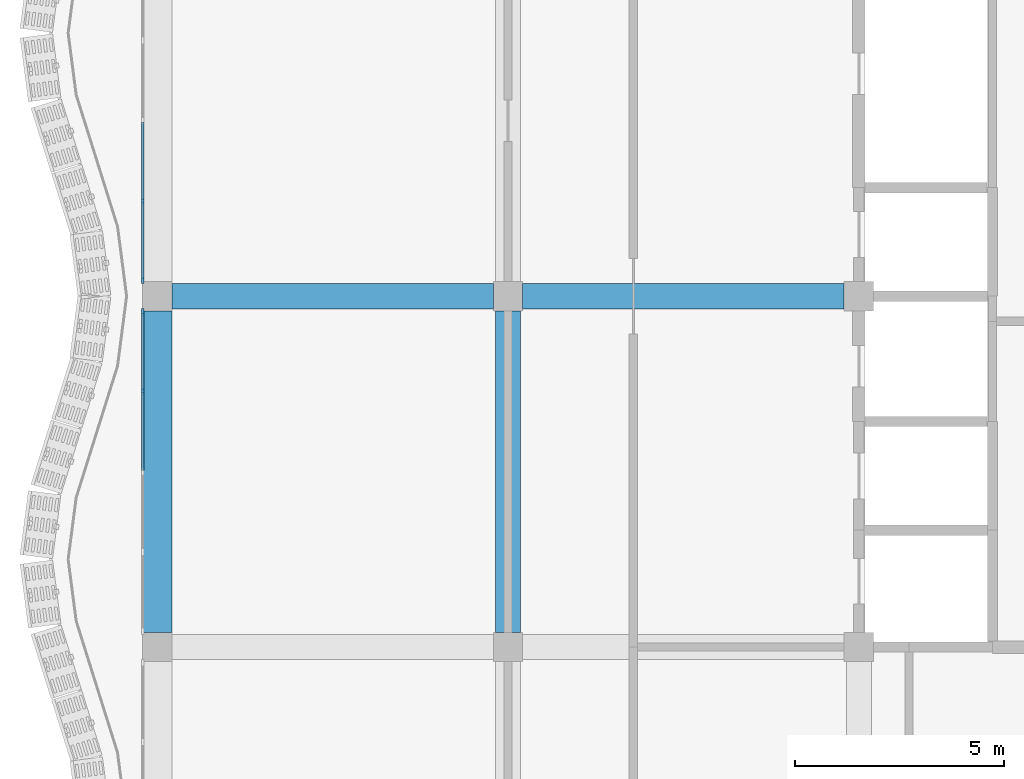
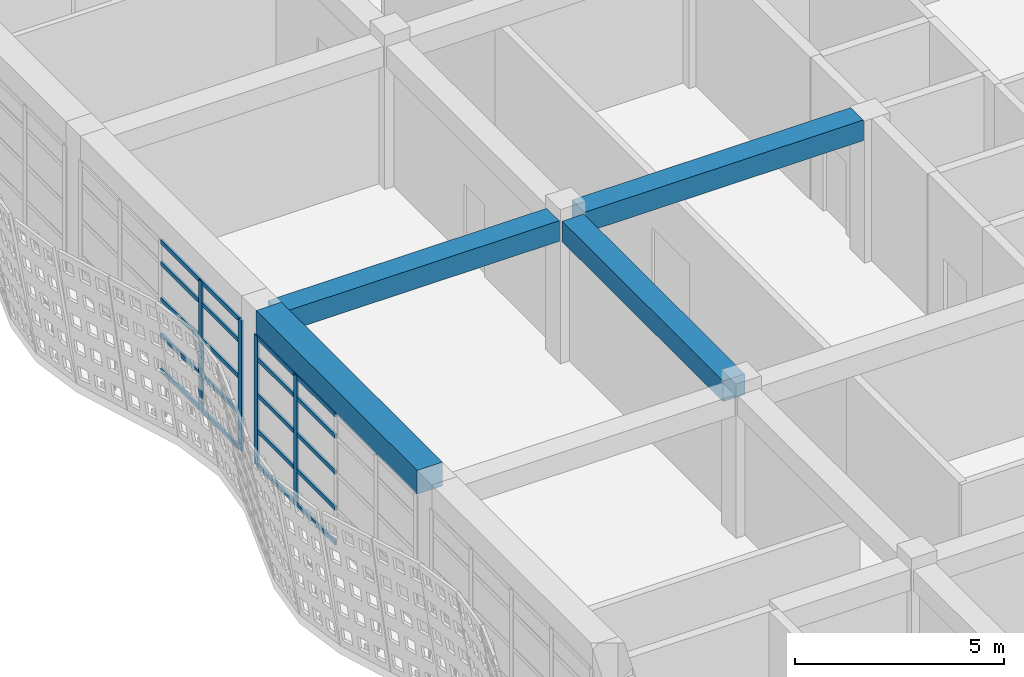
# One storey, part 5 of 163: 24 members, 4 beams, 2 elements without a shape of their own.
"""IFC4 building model written with IfcOpenShell, lengths in metres."""

from ifc_helpers import new_model, si_unit, direction, frame, origin, origin_2d, place, context, subcontext, project, spatial, rectangle, extrude, material, material_profile, profile_set, type_object, element, aggregate, save


model = new_model("IFC4")

# Units and contexts
model_context = context("Model", 3, precision=1e-05, world=origin(), true_north=direction((0.0, 1.0)))
body_context = subcontext(model_context, "Body", "Model", "MODEL_VIEW")
ifc_project = project(units=[si_unit("LENGTHUNIT", "METRE"), si_unit("AREAUNIT", "SQUARE_METRE"), si_unit("VOLUMEUNIT", "CUBIC_METRE"), si_unit("PLANEANGLEUNIT", "RADIAN"), si_unit("MASSUNIT", "GRAM", prefix="KILO")], contexts=[model_context])

# Site, building, storey
site_placement = place(None, origin())
site = spatial("IfcSite", under=ifc_project, at=site_placement, CompositionType="ELEMENT")
building_placement = place(site_placement, origin())
building = spatial("IfcBuilding", under=site, at=building_placement, Name="Rain Tree Exposition and Congress Centre", CompositionType="ELEMENT")
storey_placement = place(building_placement, frame((0.0, 0.0, 10.5)))
storey = spatial("IfcBuildingStorey", under=building, at=storey_placement, Name="L02", CompositionType="ELEMENT", Elevation=10.5)

# Beams
ifc_material_1 = material(Name="Precast concrete C50/60", Category="concrete")
ifc_material_profile_1 = material_profile(ifc_material_1, rectangle(XDim=0.60009765625, YDim=0.60009765625, at=origin_2d()), Name="RC 600x600")
ifc_profile_set_1 = profile_set([ifc_material_profile_1], Name="Precast concrete C50/60")
beam_type_1 = type_object("IfcBeamType", Name="Precast beam 600x600", PredefinedType="BEAM", material=ifc_profile_set_1)
beam_1_placement = place(storey_placement, frame((8.39990234375, 17.14990234375, 3.85009765625), z_axis=(0.0, 1.0, 0.0), x_axis=(-1.0, 0.0, 0.0)))
element("IfcBeam", 1, at=beam_1_placement, inside=storey, type_object=beam_type_1, Name="wing/beam/L02/L03/018", PredefinedType="BEAM", context=body_context, shape_type="SweptSolid", body=[
    extrude(rectangle(XDim=0.60009765625, YDim=0.60009765625, at=origin_2d()), origin(), (0.0, 0.0, 1.0), 7.7001953125),
])
for number, where, z_axis, x_axis, name in (
    (2, (0.35009765625, 25.199951171875, 3.85009765625), (1.0, 0.0, 0.0), (0.0, 1.0, 0.0), "wing/beam/L02/L03/033"),
    (3, (8.75, 25.199951171875, 3.85009765625), (1.0, 0.0, 0.0), (0.0, 1.0, 0.0), "wing/beam/L02/L03/035"),
):
    element("IfcBeam", number, at=place(storey_placement, frame(where, z_axis=z_axis, x_axis=x_axis)), inside=storey, type_object=beam_type_1, Name=name, PredefinedType="BEAM", context=body_context, shape_type="SweptSolid", body=[
        extrude(rectangle(XDim=0.60009765625, YDim=0.60009765625, at=origin_2d()), origin(), (0.0, 0.0, 1.0), 7.699951171875),
    ])
ifc_material_2 = material(Name="Precast concrete C50/60", Category="concrete")
ifc_material_profile_2 = material_profile(ifc_material_2, rectangle(XDim=0.699951171875, YDim=0.699951171875, at=origin_2d()), Name="RC 700x700")
ifc_profile_set_2 = profile_set([ifc_material_profile_2], Name="Precast concrete C50/60")
beam_type_2 = type_object("IfcBeamType", Name="Precast spandrel beam 700x700", PredefinedType="SPANDREL", material=ifc_profile_set_2)
beam_2_placement = place(storey_placement, frame((0.0, 17.14990234375, 4.14990234375), z_axis=(0.0, 1.0, 0.0), x_axis=(-1.0, 0.0, 0.0)))
element("IfcBeam", 4, at=beam_2_placement, inside=storey, type_object=beam_type_2, Name="wing/beam/L02/L03/006", PredefinedType="SPANDREL", context=body_context, shape_type="SweptSolid", body=[
    extrude(rectangle(XDim=0.699951171875, YDim=0.699951171875, at=origin_2d()), origin(), (0.0, 0.0, 1.0), 7.7001953125),
])

# Curtain wall, members
ifc_material_3 = material(Name="Aluminium curtain wall", Category="aluminium")
curtain_wall_type = type_object("IfcCurtainWallType", Name="Wing curtain wall 1925", PredefinedType="NOTDEFINED", material=ifc_material_3)
curtain_wall_1_placement = place(storey_placement, origin())
curtain_wall_1 = element("IfcCurtainWall", 5, at=curtain_wall_1_placement, inside=storey, type_object=curtain_wall_type, Name="Curtain wall CWW309", PredefinedType="NOTDEFINED")
ifc_material_4 = material(Name="Aluminium", Category="aluminium")
ifc_material_profile_3 = material_profile(ifc_material_4, rectangle(XDim=0.06005859375, YDim=0.159912109375, at=origin_2d()), Name="Aluminium 60x160")
ifc_profile_set_3 = profile_set([ifc_material_profile_3], Name="Aluminium")
member_type_1 = type_object("IfcMemberType", Name="Wing mullion 60x160", PredefinedType="MULLION", material=ifc_profile_set_3)
member_1_placement = place(storey_placement, frame((-0.35009765625, 22.925048828125, 0.0), z_axis=(0.0, 0.0, 1.0), x_axis=(-1.0, 0.0, 0.0)))
member_1 = element("IfcMember", 6, at=member_1_placement, type_object=member_type_1, Name="CWW309 mullion 4", PredefinedType="MULLION", context=body_context, shape_type="SweptSolid", body=[
    extrude(rectangle(XDim=0.06005859375, YDim=0.159912109375, at=origin_2d()), origin(), (0.0, 0.0, 1.0), 3.800048828125),
])
member_2_placement = place(storey_placement, frame((-0.35009765625, 24.820068359375, 0.0), z_axis=(0.0, 0.0, 1.0), x_axis=(-1.0, 0.0, 0.0)))
member_2 = element("IfcMember", 7, at=member_2_placement, type_object=member_type_1, Name="CWW309 mullion 5", PredefinedType="MULLION", context=body_context, shape_type="SweptSolid", body=[
    extrude(rectangle(XDim=0.06005859375, YDim=0.159912109375, at=origin_2d()), origin(), (0.0, 0.0, 1.0), 3.800048828125),
])

curtain_wall_2_placement = place(storey_placement, origin())
curtain_wall_2 = element("IfcCurtainWall", 8, at=curtain_wall_2_placement, inside=storey, type_object=curtain_wall_type, Name="Curtain wall CWW310", PredefinedType="NOTDEFINED")
member_3_placement = place(storey_placement, frame((-0.35009765625, 25.580078125, 0.0), z_axis=(0.0, 0.0, 1.0), x_axis=(-1.0, 0.0, 0.0)))
member_3 = element("IfcMember", 9, at=member_3_placement, type_object=member_type_1, Name="CWW310 mullion 1", PredefinedType="MULLION", context=body_context, shape_type="SweptSolid", body=[
    extrude(rectangle(XDim=0.06005859375, YDim=0.159912109375, at=origin_2d()), origin(), (0.0, 0.0, 1.0), 3.800048828125),
])
member_4_placement = place(storey_placement, frame((-0.35009765625, 27.47509765625, 0.0), z_axis=(0.0, 0.0, 1.0), x_axis=(-1.0, 0.0, 0.0)))
member_4 = element("IfcMember", 10, at=member_4_placement, type_object=member_type_1, Name="CWW310 mullion 2", PredefinedType="MULLION", context=body_context, shape_type="SweptSolid", body=[
    extrude(rectangle(XDim=0.06005859375, YDim=0.159912109375, at=origin_2d()), origin(), (0.0, 0.0, 1.0), 3.800048828125),
])

# Member
ifc_material_5 = material(Name="Aluminium", Category="aluminium")
ifc_material_profile_4 = material_profile(ifc_material_5, rectangle(XDim=0.06005859375, YDim=0.1201171875, at=origin_2d()), Name="Aluminium 60x120")
ifc_profile_set_4 = profile_set([ifc_material_profile_4], Name="Aluminium")
member_type_2 = type_object("IfcMemberType", Name="Wing transom 60x120", PredefinedType="USERDEFINED", material=ifc_profile_set_4)
member_5_placement = place(storey_placement, frame((-0.35009765625, 21.030029296875, 0.030029296875), z_axis=(0.0, 1.0, 0.0), x_axis=(-1.0, 0.0, 0.0)))
member_5 = element("IfcMember", 11, at=member_5_placement, type_object=member_type_2, Name="CWW309 transom 3.1", ObjectType="TRANSOM", PredefinedType="USERDEFINED", context=body_context, shape_type="SweptSolid", body=[
    extrude(rectangle(XDim=0.06005859375, YDim=0.1201171875, at=origin_2d()), origin(), (0.0, 0.0, 1.0), 1.864990234375),
])

member_6_placement = place(storey_placement, frame((-0.35009765625, 21.030029296875, 1.050048828125), z_axis=(0.0, 1.0, 0.0), x_axis=(-1.0, 0.0, 0.0)))
member_6 = element("IfcMember", 12, at=member_6_placement, type_object=member_type_2, Name="CWW309 transom 3.2", ObjectType="TRANSOM", PredefinedType="USERDEFINED", context=body_context, shape_type="SweptSolid", body=[
    extrude(rectangle(XDim=0.06005859375, YDim=0.1201171875, at=origin_2d()), origin(), (0.0, 0.0, 1.0), 1.864990234375),
])

member_7_placement = place(storey_placement, frame((-0.35009765625, 21.030029296875, 2.10009765625), z_axis=(0.0, 1.0, 0.0), x_axis=(-1.0, 0.0, 0.0)))
member_7 = element("IfcMember", 13, at=member_7_placement, type_object=member_type_2, Name="CWW309 transom 3.3", ObjectType="TRANSOM", PredefinedType="USERDEFINED", context=body_context, shape_type="SweptSolid", body=[
    extrude(rectangle(XDim=0.06005859375, YDim=0.1201171875, at=origin_2d()), origin(), (0.0, 0.0, 1.0), 1.864990234375),
])

member_8_placement = place(storey_placement, frame((-0.35009765625, 21.030029296875, 3.14990234375), z_axis=(0.0, 1.0, 0.0), x_axis=(-1.0, 0.0, 0.0)))
member_8 = element("IfcMember", 14, at=member_8_placement, type_object=member_type_2, Name="CWW309 transom 3.4", ObjectType="TRANSOM", PredefinedType="USERDEFINED", context=body_context, shape_type="SweptSolid", body=[
    extrude(rectangle(XDim=0.06005859375, YDim=0.1201171875, at=origin_2d()), origin(), (0.0, 0.0, 1.0), 1.864990234375),
])

member_9_placement = place(storey_placement, frame((-0.35009765625, 21.030029296875, 3.77001953125), z_axis=(0.0, 1.0, 0.0), x_axis=(-1.0, 0.0, 0.0)))
member_9 = element("IfcMember", 15, at=member_9_placement, type_object=member_type_2, Name="CWW309 transom 3.5", ObjectType="TRANSOM", PredefinedType="USERDEFINED", context=body_context, shape_type="SweptSolid", body=[
    extrude(rectangle(XDim=0.06005859375, YDim=0.1201171875, at=origin_2d()), origin(), (0.0, 0.0, 1.0), 1.864990234375),
])

member_10_placement = place(storey_placement, frame((-0.35009765625, 22.955078125, 0.030029296875), z_axis=(0.0, 1.0, 0.0), x_axis=(-1.0, 0.0, 0.0)))
member_10 = element("IfcMember", 16, at=member_10_placement, type_object=member_type_2, Name="CWW309 transom 4.1", ObjectType="TRANSOM", PredefinedType="USERDEFINED", context=body_context, shape_type="SweptSolid", body=[
    extrude(rectangle(XDim=0.06005859375, YDim=0.1201171875, at=origin_2d()), origin(), (0.0, 0.0, 1.0), 1.8349609375),
])

member_11_placement = place(storey_placement, frame((-0.35009765625, 22.955078125, 1.050048828125), z_axis=(0.0, 1.0, 0.0), x_axis=(-1.0, 0.0, 0.0)))
member_11 = element("IfcMember", 17, at=member_11_placement, type_object=member_type_2, Name="CWW309 transom 4.2", ObjectType="TRANSOM", PredefinedType="USERDEFINED", context=body_context, shape_type="SweptSolid", body=[
    extrude(rectangle(XDim=0.06005859375, YDim=0.1201171875, at=origin_2d()), origin(), (0.0, 0.0, 1.0), 1.8349609375),
])

member_12_placement = place(storey_placement, frame((-0.35009765625, 22.955078125, 2.10009765625), z_axis=(0.0, 1.0, 0.0), x_axis=(-1.0, 0.0, 0.0)))
member_12 = element("IfcMember", 18, at=member_12_placement, type_object=member_type_2, Name="CWW309 transom 4.3", ObjectType="TRANSOM", PredefinedType="USERDEFINED", context=body_context, shape_type="SweptSolid", body=[
    extrude(rectangle(XDim=0.06005859375, YDim=0.1201171875, at=origin_2d()), origin(), (0.0, 0.0, 1.0), 1.8349609375),
])

member_13_placement = place(storey_placement, frame((-0.35009765625, 22.955078125, 3.14990234375), z_axis=(0.0, 1.0, 0.0), x_axis=(-1.0, 0.0, 0.0)))
member_13 = element("IfcMember", 19, at=member_13_placement, type_object=member_type_2, Name="CWW309 transom 4.4", ObjectType="TRANSOM", PredefinedType="USERDEFINED", context=body_context, shape_type="SweptSolid", body=[
    extrude(rectangle(XDim=0.06005859375, YDim=0.1201171875, at=origin_2d()), origin(), (0.0, 0.0, 1.0), 1.8349609375),
])

member_14_placement = place(storey_placement, frame((-0.35009765625, 22.955078125, 3.77001953125), z_axis=(0.0, 1.0, 0.0), x_axis=(-1.0, 0.0, 0.0)))
member_14 = element("IfcMember", 20, at=member_14_placement, type_object=member_type_2, Name="CWW309 transom 4.5", ObjectType="TRANSOM", PredefinedType="USERDEFINED", context=body_context, shape_type="SweptSolid", body=[
    extrude(rectangle(XDim=0.06005859375, YDim=0.1201171875, at=origin_2d()), origin(), (0.0, 0.0, 1.0), 1.8349609375),
])

aggregate(curtain_wall_1, [member_1, member_2, member_5, member_6, member_7, member_8, member_9, member_10, member_11, member_12, member_13, member_14])

member_15_placement = place(storey_placement, frame((-0.35009765625, 25.610107421875, 0.030029296875), z_axis=(0.0, 1.0, 0.0), x_axis=(-1.0, 0.0, 0.0)))
member_15 = element("IfcMember", 21, at=member_15_placement, type_object=member_type_2, Name="CWW310 transom 1.1", ObjectType="TRANSOM", PredefinedType="USERDEFINED", context=body_context, shape_type="SweptSolid", body=[
    extrude(rectangle(XDim=0.06005859375, YDim=0.1201171875, at=origin_2d()), origin(), (0.0, 0.0, 1.0), 1.8349609375),
])

member_16_placement = place(storey_placement, frame((-0.35009765625, 25.610107421875, 1.050048828125), z_axis=(0.0, 1.0, 0.0), x_axis=(-1.0, 0.0, 0.0)))
member_16 = element("IfcMember", 22, at=member_16_placement, type_object=member_type_2, Name="CWW310 transom 1.2", ObjectType="TRANSOM", PredefinedType="USERDEFINED", context=body_context, shape_type="SweptSolid", body=[
    extrude(rectangle(XDim=0.06005859375, YDim=0.1201171875, at=origin_2d()), origin(), (0.0, 0.0, 1.0), 1.8349609375),
])

member_17_placement = place(storey_placement, frame((-0.35009765625, 25.610107421875, 2.10009765625), z_axis=(0.0, 1.0, 0.0), x_axis=(-1.0, 0.0, 0.0)))
member_17 = element("IfcMember", 23, at=member_17_placement, type_object=member_type_2, Name="CWW310 transom 1.3", ObjectType="TRANSOM", PredefinedType="USERDEFINED", context=body_context, shape_type="SweptSolid", body=[
    extrude(rectangle(XDim=0.06005859375, YDim=0.1201171875, at=origin_2d()), origin(), (0.0, 0.0, 1.0), 1.8349609375),
])

member_18_placement = place(storey_placement, frame((-0.35009765625, 25.610107421875, 3.14990234375), z_axis=(0.0, 1.0, 0.0), x_axis=(-1.0, 0.0, 0.0)))
member_18 = element("IfcMember", 24, at=member_18_placement, type_object=member_type_2, Name="CWW310 transom 1.4", ObjectType="TRANSOM", PredefinedType="USERDEFINED", context=body_context, shape_type="SweptSolid", body=[
    extrude(rectangle(XDim=0.06005859375, YDim=0.1201171875, at=origin_2d()), origin(), (0.0, 0.0, 1.0), 1.8349609375),
])

member_19_placement = place(storey_placement, frame((-0.35009765625, 25.610107421875, 3.77001953125), z_axis=(0.0, 1.0, 0.0), x_axis=(-1.0, 0.0, 0.0)))
member_19 = element("IfcMember", 25, at=member_19_placement, type_object=member_type_2, Name="CWW310 transom 1.5", ObjectType="TRANSOM", PredefinedType="USERDEFINED", context=body_context, shape_type="SweptSolid", body=[
    extrude(rectangle(XDim=0.06005859375, YDim=0.1201171875, at=origin_2d()), origin(), (0.0, 0.0, 1.0), 1.8349609375),
])

member_20_placement = place(storey_placement, frame((-0.35009765625, 27.5048828125, 0.030029296875), z_axis=(0.0, 1.0, 0.0), x_axis=(-1.0, 0.0, 0.0)))
member_20 = element("IfcMember", 26, at=member_20_placement, type_object=member_type_2, Name="CWW310 transom 2.1", ObjectType="TRANSOM", PredefinedType="USERDEFINED", context=body_context, shape_type="SweptSolid", body=[
    extrude(rectangle(XDim=0.06005859375, YDim=0.1201171875, at=origin_2d()), origin(), (0.0, 0.0, 1.0), 1.865234375),
])

member_21_placement = place(storey_placement, frame((-0.35009765625, 27.5048828125, 1.050048828125), z_axis=(0.0, 1.0, 0.0), x_axis=(-1.0, 0.0, 0.0)))
member_21 = element("IfcMember", 27, at=member_21_placement, type_object=member_type_2, Name="CWW310 transom 2.2", ObjectType="TRANSOM", PredefinedType="USERDEFINED", context=body_context, shape_type="SweptSolid", body=[
    extrude(rectangle(XDim=0.06005859375, YDim=0.1201171875, at=origin_2d()), origin(), (0.0, 0.0, 1.0), 1.865234375),
])

member_22_placement = place(storey_placement, frame((-0.35009765625, 27.5048828125, 2.10009765625), z_axis=(0.0, 1.0, 0.0), x_axis=(-1.0, 0.0, 0.0)))
member_22 = element("IfcMember", 28, at=member_22_placement, type_object=member_type_2, Name="CWW310 transom 2.3", ObjectType="TRANSOM", PredefinedType="USERDEFINED", context=body_context, shape_type="SweptSolid", body=[
    extrude(rectangle(XDim=0.06005859375, YDim=0.1201171875, at=origin_2d()), origin(), (0.0, 0.0, 1.0), 1.865234375),
])

member_23_placement = place(storey_placement, frame((-0.35009765625, 27.5048828125, 3.14990234375), z_axis=(0.0, 1.0, 0.0), x_axis=(-1.0, 0.0, 0.0)))
member_23 = element("IfcMember", 29, at=member_23_placement, type_object=member_type_2, Name="CWW310 transom 2.4", ObjectType="TRANSOM", PredefinedType="USERDEFINED", context=body_context, shape_type="SweptSolid", body=[
    extrude(rectangle(XDim=0.06005859375, YDim=0.1201171875, at=origin_2d()), origin(), (0.0, 0.0, 1.0), 1.865234375),
])

member_24_placement = place(storey_placement, frame((-0.35009765625, 27.5048828125, 3.77001953125), z_axis=(0.0, 1.0, 0.0), x_axis=(-1.0, 0.0, 0.0)))
member_24 = element("IfcMember", 30, at=member_24_placement, type_object=member_type_2, Name="CWW310 transom 2.5", ObjectType="TRANSOM", PredefinedType="USERDEFINED", context=body_context, shape_type="SweptSolid", body=[
    extrude(rectangle(XDim=0.06005859375, YDim=0.1201171875, at=origin_2d()), origin(), (0.0, 0.0, 1.0), 1.865234375),
])

aggregate(curtain_wall_2, [member_3, member_4, member_15, member_16, member_17, member_18, member_19, member_20, member_21, member_22, member_23, member_24])

save(model, "model.ifc")
